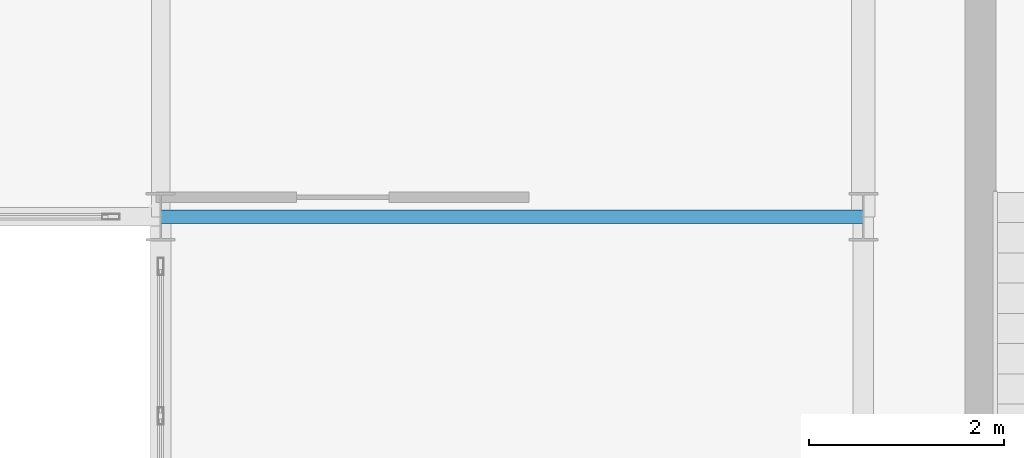
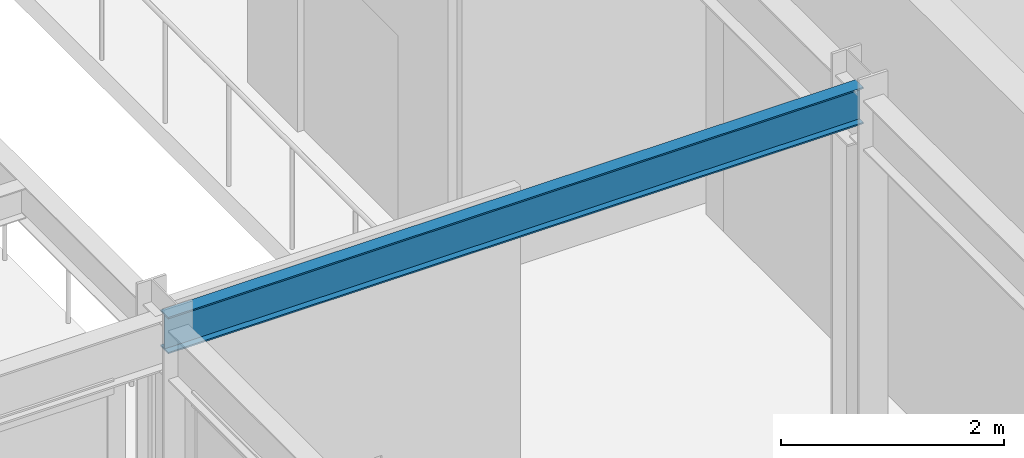
# One storey, part 39 of 121: 1 beam.
"""IFC4 building model written with IfcOpenShell, lengths in metres."""

from ifc_helpers import new_model, si_unit, direction, frame, origin, origin_2d, place, context, subcontext, project, spatial, i_section, extrude, material, material_profile, profile_set, type_object, element, save


model = new_model("IFC4")

# Units and contexts
model_context = context("Model", 3, precision=1e-05, world=origin(), true_north=direction((0.0, 1.0)))
body_context = subcontext(model_context, "Body", "Model", "MODEL_VIEW")
ifc_project = project(units=[si_unit("LENGTHUNIT", "METRE"), si_unit("AREAUNIT", "SQUARE_METRE"), si_unit("VOLUMEUNIT", "CUBIC_METRE"), si_unit("PLANEANGLEUNIT", "RADIAN"), si_unit("MASSUNIT", "GRAM", prefix="KILO")], contexts=[model_context])

# Site, building, storey
site_placement = place(None, origin())
site = spatial("IfcSite", under=ifc_project, at=site_placement, CompositionType="ELEMENT")
building_placement = place(site_placement, origin())
building = spatial("IfcBuilding", under=site, at=building_placement, Name="Solvadek Multi-Sports Hall", CompositionType="ELEMENT")
storey_placement = place(building_placement, frame((0.0, 0.0, 4.800048828125)))
storey = spatial("IfcBuildingStorey", under=building, at=storey_placement, Name="L01", CompositionType="ELEMENT", Elevation=4.800048828125)

# Beam
ifc_material = material(Name="Steel E350 (350 MPa)", Category="steel")
ifc_material_profile = material_profile(ifc_material, i_section(OverallWidth=0.139892578125, OverallDepth=0.39990234375, WebThickness=0.0087890625, FlangeThickness=0.01611328125, at=origin_2d()), Name="ISMB 400")
ifc_profile_set = profile_set([ifc_material_profile], Name="Steel E350 (350 MPa)")
beam_type = type_object("IfcBeamType", Name="STR-BM-ISMB400", PredefinedType="BEAM", material=ifc_profile_set)
beam_placement = place(storey_placement, frame((57.60009765625, 49.199951171875, 4.35986328125), z_axis=(1.0, 0.0, 0.0), x_axis=(0.0, 1.0, 0.0)))
element("IfcBeam", 1, at=beam_placement, inside=storey, type_object=beam_type, Name="L01 Girder B-10 #1013", PredefinedType="BEAM", context=body_context, shape_type="SweptSolid", body=[
    extrude(i_section(OverallWidth=0.139892578125, OverallDepth=0.39990234375, WebThickness=0.0087890625, FlangeThickness=0.01611328125, at=origin_2d()), origin(), (0.0, 0.0, 1.0), 7.199951171875),
])

save(model, "model.ifc")
